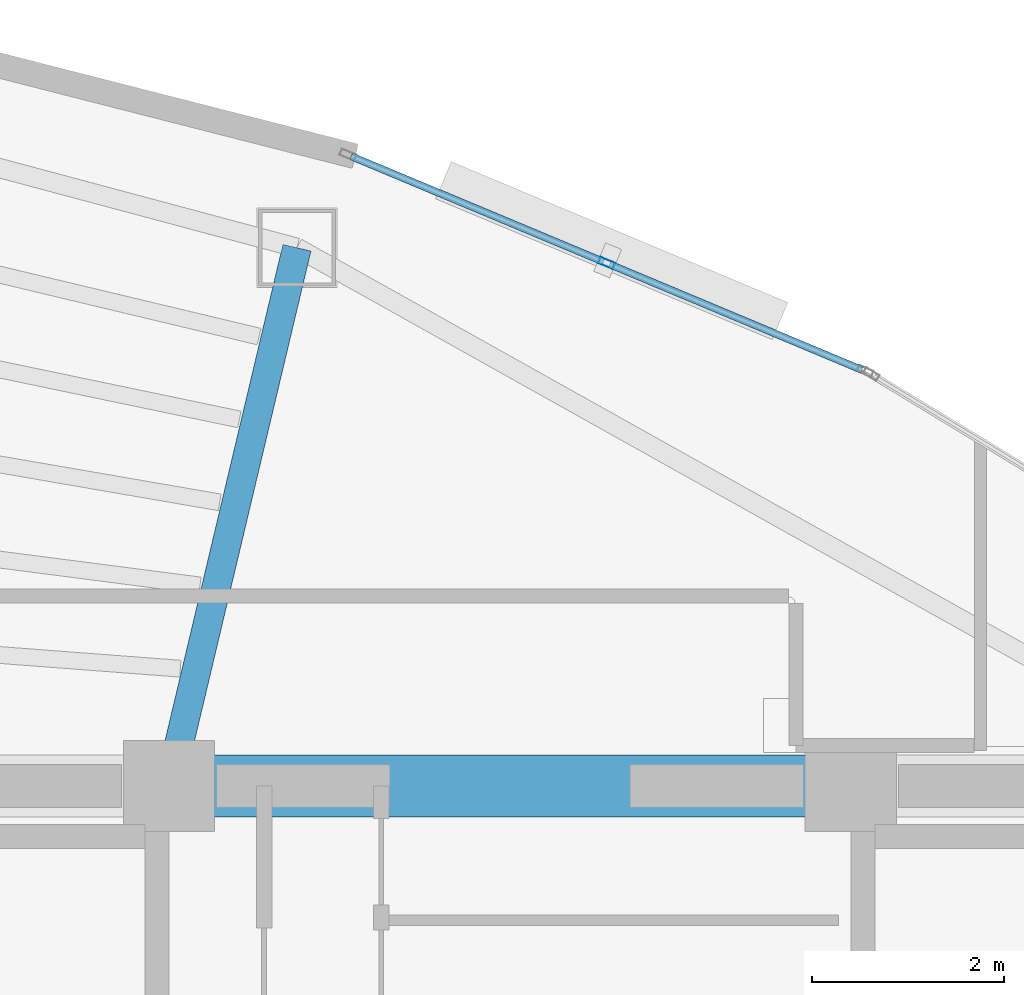
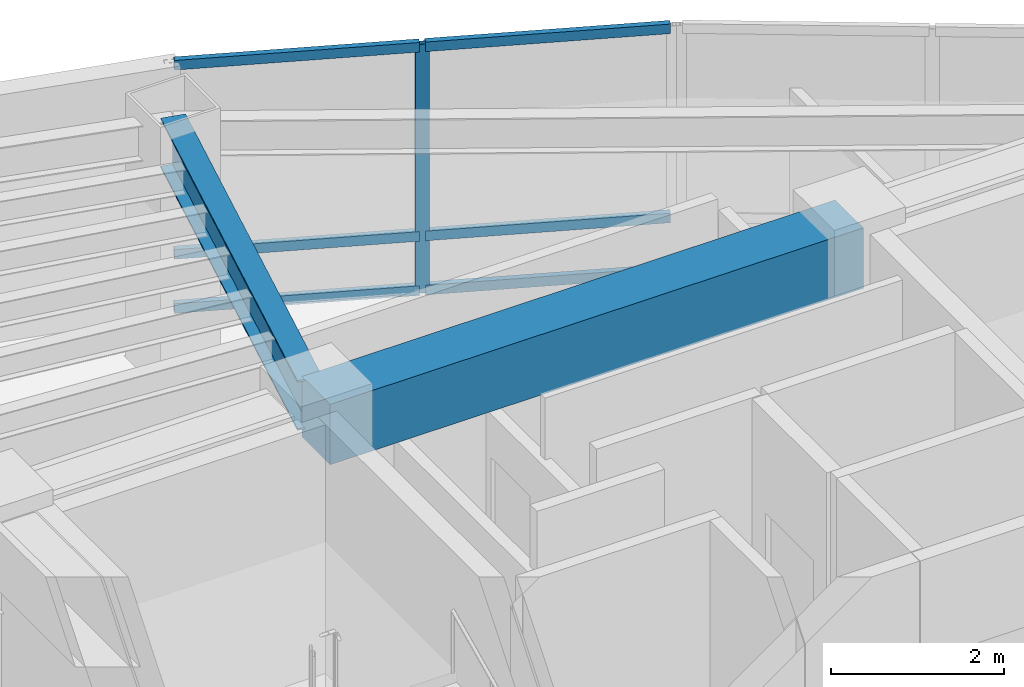
# One storey, part 8 of 15: 7 members, 2 beams, 1 element without a shape of its own.
"""IFC4 building model written with IfcOpenShell, lengths in metres."""

import ifcopenshell
import ifcopenshell.guid

model = None  # the IFC model being written
_history = None  # IfcOwnerHistory: only IFC2X3 demands one
_inside = {}  # id of a spatial element -> (the spatial element, [elements in it])
_under = {}  # id of a project, library or spatial element -> (it, [spatial elements below it])
_declared = {}  # id of a project -> (the project, [libraries it declares])
_typed = {}  # id of a type object -> (the type object, [elements of that type])
_made_of = {}  # id of a material, layer set ... -> (it, [elements and type objects made of it])


def new_model(schema):
    """Start an empty IFC model of exactly this schema.

    Asked for "IFC4X3", IfcOpenShell would pick the latest addendum, in which some entities
    have other attributes; the version numbers below select the first issue.
    IFC2X3 requires an IfcOwnerHistory on every rooted entity: one is made here for all.
    """
    global model, _history
    if schema == "IFC4X3":
        model = ifcopenshell.file(schema_version=(4, 3, 0, 0))
    else:
        model = ifcopenshell.file(schema=schema)
    _inside.clear()
    _under.clear()
    _declared.clear()
    _typed.clear()
    _made_of.clear()
    _history = None
    if model.schema == "IFC2X3":
        org = make("IfcOrganization", Name="unknown")
        user = make(
            "IfcPersonAndOrganization",
            ThePerson=make("IfcPerson", FamilyName="unknown"),
            TheOrganization=org,
        )
        app = make(
            "IfcApplication",
            ApplicationDeveloper=org,
            Version="unknown",
            ApplicationFullName="unknown",
            ApplicationIdentifier="unknown",
        )
        _history = make(
            "IfcOwnerHistory",
            OwningUser=user,
            OwningApplication=app,
            ChangeAction="ADDED",
            CreationDate=0,
        )
    return model


def make(cls, **values):
    """One entity of the class cls with the attributes given. An attribute that is None is left unset."""
    return model.create_entity(
        cls, **{name: value for name, value in values.items() if value is not None}
    )


def rooted(cls, **values):
    """An entity with a GlobalId (a new one), such as an element, a storey or a relation."""
    return make(cls, GlobalId=ifcopenshell.guid.new(), OwnerHistory=_history, **values)


def si_unit(unit_type, name, prefix=None):
    """IfcSIUnit, for example si_unit("LENGTHUNIT", "METRE", prefix="MILLI")."""
    return make("IfcSIUnit", UnitType=unit_type, Prefix=prefix, Name=name)


def assignment(units):
    """IfcUnitAssignment: the units of a project."""
    return None if units is None else make("IfcUnitAssignment", Units=units)


def point(xyz):
    """IfcCartesianPoint."""
    return None if xyz is None else make("IfcCartesianPoint", Coordinates=xyz)


def direction(xyz):
    """IfcDirection."""
    return None if xyz is None else make("IfcDirection", DirectionRatios=xyz)


def frame(location, z_axis=None, x_axis=None):
    """IfcAxis2Placement3D, a coordinate frame: its origin and axes. An axis left out is left unset."""
    return make(
        "IfcAxis2Placement3D",
        Location=point(location),
        Axis=direction(z_axis),
        RefDirection=direction(x_axis),
    )


def frame_2d(location, x_axis=None):
    """IfcAxis2Placement2D, a coordinate frame in the plane: its origin and x axis."""
    return make(
        "IfcAxis2Placement2D", Location=point(location), RefDirection=direction(x_axis)
    )


def origin():
    """The frame at (0, 0, 0) with its axes left unset."""
    return frame((0.0, 0.0, 0.0))


def origin_2d():
    """The frame at (0, 0) in the plane with its x axis left unset."""
    return frame_2d((0.0, 0.0))


def place(relative_to, where):
    """IfcLocalPlacement: puts the frame where relative to a parent placement (None: the world)."""
    return make(
        "IfcLocalPlacement", PlacementRelTo=relative_to, RelativePlacement=where
    )


def context(
    kind, dimensions, precision=None, world=None, true_north=None, identifier=None
):
    """IfcGeometricRepresentationContext, for example the 3D "Model" context."""
    return make(
        "IfcGeometricRepresentationContext",
        ContextIdentifier=identifier,
        ContextType=kind,
        CoordinateSpaceDimension=dimensions,
        Precision=precision,
        WorldCoordinateSystem=world,
        TrueNorth=true_north,
    )


def subcontext(parent, identifier, kind, view, scale=None):
    """IfcGeometricRepresentationSubContext, for example "Body" below "Model"."""
    return make(
        "IfcGeometricRepresentationSubContext",
        ContextIdentifier=identifier,
        ContextType=kind,
        ParentContext=parent,
        TargetScale=scale,
        TargetView=view,
    )


def project(units=None, contexts=None):
    """IfcProject with its units and contexts."""
    return rooted(
        "IfcProject",
        Name="project",
        RepresentationContexts=contexts,
        UnitsInContext=assignment(units),
    )


def spatial(cls, under=None, at=None, **own):
    """A site, building, storey or space (cls), placed at a placement, below another one or the project."""
    s = rooted(cls, ObjectPlacement=at, **own)
    if under is not None:
        _under.setdefault(under.id(), (under, []))[1].append(s)
    return s


def profile(cls, at=None, kind="AREA", **sizes):
    """A parametric profile (cls). Its sizes go by their IFC names, for example OverallWidth=200.0."""
    return make(cls, ProfileType=kind, Position=at, **sizes)


def rectangle(**sizes):
    """IfcRectangleProfileDef."""
    return profile("IfcRectangleProfileDef", **sizes)


def hollow_rectangle(**sizes):
    """IfcRectangleHollowProfileDef."""
    return profile("IfcRectangleHollowProfileDef", **sizes)


def i_section(**sizes):
    """IfcIShapeProfileDef."""
    return profile("IfcIShapeProfileDef", **sizes)


def extrude(swept, where, along, depth):
    """IfcExtrudedAreaSolid: the profile swept, set in the frame where, extruded along a direction by depth."""
    return make(
        "IfcExtrudedAreaSolid",
        SweptArea=swept,
        Position=where,
        ExtrudedDirection=direction(along),
        Depth=depth,
    )


def shape(context_of_items, identifier, shape_type, items):
    """IfcShapeRepresentation: the items that make up one representation, for example the "Body"."""
    return make(
        "IfcShapeRepresentation",
        ContextOfItems=context_of_items,
        RepresentationIdentifier=identifier,
        RepresentationType=shape_type,
        Items=items,
    )


def material(Name=None, Category=None):
    """IfcMaterial."""
    return make("IfcMaterial", Name=Name, Category=Category)


def layer(
    of_material, thickness, ventilated=None, Name=None, Category=None, Priority=None
):
    """IfcMaterialLayer: one layer of a wall or slab, of a material (None: an air gap)."""
    return make(
        "IfcMaterialLayer",
        Material=of_material,
        LayerThickness=thickness,
        IsVentilated=ventilated,
        Name=Name,
        Category=Category,
        Priority=Priority,
    )


def layer_set(layers, Name=None):
    """IfcMaterialLayerSet."""
    return make("IfcMaterialLayerSet", MaterialLayers=layers, LayerSetName=Name)


def material_profile(
    of_material, cross_section, Name=None, Category=None, Priority=None
):
    """IfcMaterialProfile: a cross section and its material."""
    return make(
        "IfcMaterialProfile",
        Name=Name,
        Material=of_material,
        Profile=cross_section,
        Priority=Priority,
        Category=Category,
    )


def profile_set(profiles, Name=None, composite=None):
    """IfcMaterialProfileSet."""
    return make(
        "IfcMaterialProfileSet",
        Name=Name,
        MaterialProfiles=profiles,
        CompositeProfile=composite,
    )


def made_of(thing, what):
    """Note that an element or type object is made of a material, layer set ...; save() writes the relation."""
    if what is not None:
        _made_of.setdefault(what.id(), (what, []))[1].append(thing)
    return thing


def type_object(cls, material=None, **own):
    """A type object (cls), such as IfcWallType, which elements share."""
    return made_of(rooted(cls, **own), material)


def element(
    cls,
    number,
    at=None,
    inside=None,
    cuts=None,
    type_object=None,
    material=None,
    context=None,
    identifier="Body",
    shape_type=None,
    held_by="IfcProductDefinitionShape",
    body=None,
    shapes=None,
    **own,
):
    """One element of the class cls, such as IfcWall. Its Tag is "e" and its number.

    at: its placement. inside: the storey or other place that contains it. cuts: it is an
    opening in that element (IfcRelVoidsElement). A single representation is given by context,
    identifier, shape_type and body (its items); several are given by shapes. held_by: the class
    of the entity that holds the representations. save() writes the other relations.
    """
    e = rooted(cls, Tag="e%d" % number, ObjectPlacement=at, **own)
    if body is not None:
        shapes = [shape(context, identifier, shape_type, body)]
    if shapes is not None:
        e.Representation = make(held_by, Representations=shapes)
    if inside is not None:
        _inside.setdefault(inside.id(), (inside, []))[1].append(e)
    if cuts is not None:
        rooted(
            "IfcRelVoidsElement", RelatingBuildingElement=cuts, RelatedOpeningElement=e
        )
    if type_object is not None:
        _typed.setdefault(type_object.id(), (type_object, []))[1].append(e)
    return made_of(e, material)


def aggregate(whole, parts):
    """IfcRelAggregates: a whole, such as a stair, and the parts it consists of."""
    return rooted("IfcRelAggregates", RelatingObject=whole, RelatedObjects=parts)


def save(model, path):
    """Write the relations noted so far, then the file.

    IfcRelAggregates (storeys below a building ...), IfcRelContainedInSpatialStructure (elements
    in a storey), IfcRelDefinesByType, IfcRelAssociatesMaterial and IfcRelDeclares: one each for
    every whole, place, type object, material and project.
    """
    for whole, parts in _under.values():
        aggregate(whole, parts)
    for where, things in _inside.values():
        rooted(
            "IfcRelContainedInSpatialStructure",
            RelatedElements=things,
            RelatingStructure=where,
        )
    for kind, things in _typed.values():
        rooted("IfcRelDefinesByType", RelatedObjects=things, RelatingType=kind)
    for what, things in _made_of.values():
        rooted("IfcRelAssociatesMaterial", RelatedObjects=things, RelatingMaterial=what)
    for by, libraries in _declared.values():
        rooted("IfcRelDeclares", RelatingContext=by, RelatedDefinitions=libraries)
    model.write(path)


model = new_model("IFC4")

# Units and contexts
model_context = context("Model", 3, precision=1e-05, world=origin(), true_north=direction((0.0, 1.0)))
body_context = subcontext(model_context, "Body", "Model", "MODEL_VIEW")
ifc_project = project(units=[si_unit("LENGTHUNIT", "METRE"), si_unit("AREAUNIT", "SQUARE_METRE"), si_unit("VOLUMEUNIT", "CUBIC_METRE"), si_unit("PLANEANGLEUNIT", "RADIAN"), si_unit("MASSUNIT", "GRAM", prefix="KILO")], contexts=[model_context])

# Site, building, storey
site_placement = place(None, origin())
site = spatial("IfcSite", under=ifc_project, at=site_placement, CompositionType="ELEMENT")
building_placement = place(site_placement, origin())
building = spatial("IfcBuilding", under=site, at=building_placement, Name="Menara Vayukalpa", CompositionType="ELEMENT")
storey_placement = place(building_placement, frame((0.0, 0.0, 258.300048828125)))
storey = spatial("IfcBuildingStorey", under=building, at=storey_placement, Name="L65", CompositionType="ELEMENT", Elevation=258.300048828125)

# Beams
ifc_material_1 = material(Name="Concrete C60/75", Category="concrete")
ifc_material_profile_1 = material_profile(ifc_material_1, rectangle(XDim=0.64990234375, YDim=0.85009765625, at=origin_2d()), Name="RC 650x850")
ifc_profile_set_1 = profile_set([ifc_material_profile_1], Name="Concrete C60/75")
beam_type_1 = type_object("IfcBeamType", Name="BM-CB1", PredefinedType="BEAM", material=ifc_profile_set_1)
beam_1_placement = place(storey_placement, frame((22.050048828125, 26.800048828125, 3.074951171875), z_axis=(1.0, 0.0, 0.0), x_axis=(0.0, 1.0, 0.0)))
element("IfcBeam", 1, at=beam_1_placement, inside=storey, type_object=beam_type_1, Name="L65 Core Tie Beam CBR5", PredefinedType="BEAM", context=body_context, shape_type="SweptSolid", body=[
    extrude(rectangle(XDim=0.64990234375, YDim=0.85009765625, at=origin_2d()), origin(), (0.0, 0.0, 1.0), 7.099853515625),
])
ifc_material_2 = material(Name="Steel S355", Category="steel")
ifc_material_profile_2 = material_profile(ifc_material_2, i_section(OverallWidth=0.300048828125, OverallDepth=0.699951171875, WebThickness=0.012939453125, FlangeThickness=0.02392578125, at=origin_2d()), Name="WF 700x300x13x24")
ifc_profile_set_2 = profile_set([ifc_material_profile_2], Name="Steel S355")
beam_type_2 = type_object("IfcBeamType", Name="BM-PG5", PredefinedType="BEAM", material=ifc_profile_set_2)
beam_2_placement = place(storey_placement, frame((22.10791015625, 27.043212890625, 3.14990234375), z_axis=(0.231167310854, 0.972914011818, 0.0), x_axis=(-0.972914011818, 0.231167310854, 0.0)))
element("IfcBeam", 2, at=beam_2_placement, inside=storey, type_object=beam_type_2, Name="L65 Primary Radial Girder RG03", PredefinedType="BEAM", context=body_context, shape_type="SweptSolid", body=[
    extrude(i_section(OverallWidth=0.300048828125, OverallDepth=0.699951171875, WebThickness=0.012939453125, FlangeThickness=0.02392578125, at=origin_2d()), origin(), (0.0, 0.0, 1.0), 5.5107421875),
])

# Curtain wall, members
ifc_material_3 = material(Name="Anodised Terracotta Aluminium Alloy 6063-T6", Category="masonry")
ifc_layer = layer(ifc_material_3, 0.1650390625)
ifc_layer_set = layer_set([ifc_layer], Name="Anodised Terracotta Aluminium Alloy 6063-T6")
curtain_wall_type = type_object("IfcCurtainWallType", Name="CW-CW6", PredefinedType="USERDEFINED", material=ifc_layer_set)
curtain_wall_placement = place(storey_placement, origin())
curtain_wall = element("IfcCurtainWall", 3, at=curtain_wall_placement, inside=storey, type_object=curtain_wall_type, Name="L65 Observation and Executive Curtain Wall CW6 05", ObjectType="UNITISED", PredefinedType="USERDEFINED")
ifc_material_4 = material(Name="Anodised Terracotta Aluminium Alloy 6063-T6", Category="masonry")
ifc_material_profile_3 = material_profile(ifc_material_4, hollow_rectangle(XDim=0.070068359375, YDim=0.1650390625, WallThickness=0.00390625, at=origin_2d()), Name="ALU 70x165x4")
ifc_profile_set_3 = profile_set([ifc_material_profile_3], Name="Anodised Terracotta Aluminium Alloy 6063-T6")
member_type_1 = type_object("IfcMemberType", Name="CWM-CW6", PredefinedType="MULLION", material=ifc_profile_set_3)
member_1_placement = place(storey_placement, frame((26.60595703125, 32.2451171875, 0.0), z_axis=(0.0, 0.0, 1.0), x_axis=(-0.385899911703, -0.922540653927, 0.0)))
member_1 = element("IfcMember", 4, at=member_1_placement, type_object=member_type_1, Name="CW6 mullion 2", PredefinedType="MULLION", context=body_context, shape_type="SweptSolid", body=[
    extrude(hollow_rectangle(XDim=0.070068359375, YDim=0.1650390625, WallThickness=0.00390625, at=origin_2d()), origin(), (0.0, 0.0, 1.0), 3.5),
])
ifc_material_5 = material(Name="Anodised Terracotta Aluminium Alloy 6063-T6", Category="masonry")
ifc_material_profile_4 = material_profile(ifc_material_5, hollow_rectangle(XDim=0.074951171875, YDim=0.135009765625, WallThickness=0.00390625, at=origin_2d()), Name="ALU 75x135x4")
ifc_profile_set_4 = profile_set([ifc_material_profile_4], Name="Anodised Terracotta Aluminium Alloy 6063-T6")
member_type_2 = type_object("IfcMemberType", Name="CWT-CW6", PredefinedType="USERDEFINED", material=ifc_profile_set_4)
member_2_placement = place(storey_placement, frame((29.266357421875, 31.13232421875, 0.037353515625), z_axis=(-0.922528286758, 0.385929475592, 0.0), x_axis=(-0.385929475592, -0.922528286758, 0.0)))
member_2 = element("IfcMember", 5, at=member_2_placement, type_object=member_type_2, Name="CW6 transom 1.1", ObjectType="TRANSOM", PredefinedType="USERDEFINED", context=body_context, shape_type="SweptSolid", body=[
    extrude(hollow_rectangle(XDim=0.074951171875, YDim=0.135009765625, WallThickness=0.00390625, at=origin_2d()), origin(), (0.0, 0.0, 1.0), 2.8486328125),
])
member_3_placement = place(storey_placement, frame((29.266357421875, 31.13232421875, 0.800048828125), z_axis=(-0.922528286758, 0.385929475592, 0.0), x_axis=(-0.385929475592, -0.922528286758, 0.0)))
member_3 = element("IfcMember", 6, at=member_3_placement, type_object=member_type_2, Name="CW6 transom 1.2", ObjectType="TRANSOM", PredefinedType="USERDEFINED", context=body_context, shape_type="SweptSolid", body=[
    extrude(hollow_rectangle(XDim=0.074951171875, YDim=0.135009765625, WallThickness=0.00390625, at=origin_2d()), origin(), (0.0, 0.0, 1.0), 2.8486328125),
])
member_4_placement = place(storey_placement, frame((29.266357421875, 31.13232421875, 3.46240234375), z_axis=(-0.922528286758, 0.385929475592, 0.0), x_axis=(-0.385929475592, -0.922528286758, 0.0)))
member_4 = element("IfcMember", 7, at=member_4_placement, type_object=member_type_2, Name="CW6 transom 1.3", ObjectType="TRANSOM", PredefinedType="USERDEFINED", context=body_context, shape_type="SweptSolid", body=[
    extrude(hollow_rectangle(XDim=0.074951171875, YDim=0.135009765625, WallThickness=0.00390625, at=origin_2d()), origin(), (0.0, 0.0, 1.0), 2.8486328125),
])
member_5_placement = place(storey_placement, frame((26.57373046875, 32.258544921875, 0.037353515625), z_axis=(-0.922541050276, 0.38589896418, 0.0), x_axis=(-0.38589896418, -0.922541050276, 0.0)))
member_5 = element("IfcMember", 8, at=member_5_placement, type_object=member_type_2, Name="CW6 transom 2.1", ObjectType="TRANSOM", PredefinedType="USERDEFINED", context=body_context, shape_type="SweptSolid", body=[
    extrude(hollow_rectangle(XDim=0.074951171875, YDim=0.135009765625, WallThickness=0.00390625, at=origin_2d()), origin(), (0.0, 0.0, 1.0), 2.848876953125),
])
member_6_placement = place(storey_placement, frame((26.57373046875, 32.258544921875, 0.800048828125), z_axis=(-0.922541050276, 0.38589896418, 0.0), x_axis=(-0.38589896418, -0.922541050276, 0.0)))
member_6 = element("IfcMember", 9, at=member_6_placement, type_object=member_type_2, Name="CW6 transom 2.2", ObjectType="TRANSOM", PredefinedType="USERDEFINED", context=body_context, shape_type="SweptSolid", body=[
    extrude(hollow_rectangle(XDim=0.074951171875, YDim=0.135009765625, WallThickness=0.00390625, at=origin_2d()), origin(), (0.0, 0.0, 1.0), 2.848876953125),
])
member_7_placement = place(storey_placement, frame((26.57373046875, 32.258544921875, 3.46240234375), z_axis=(-0.922541050276, 0.38589896418, 0.0), x_axis=(-0.38589896418, -0.922541050276, 0.0)))
member_7 = element("IfcMember", 10, at=member_7_placement, type_object=member_type_2, Name="CW6 transom 2.3", ObjectType="TRANSOM", PredefinedType="USERDEFINED", context=body_context, shape_type="SweptSolid", body=[
    extrude(hollow_rectangle(XDim=0.074951171875, YDim=0.135009765625, WallThickness=0.00390625, at=origin_2d()), origin(), (0.0, 0.0, 1.0), 2.848876953125),
])
aggregate(curtain_wall, [member_1, member_2, member_3, member_4, member_5, member_6, member_7])

save(model, "model.ifc")
